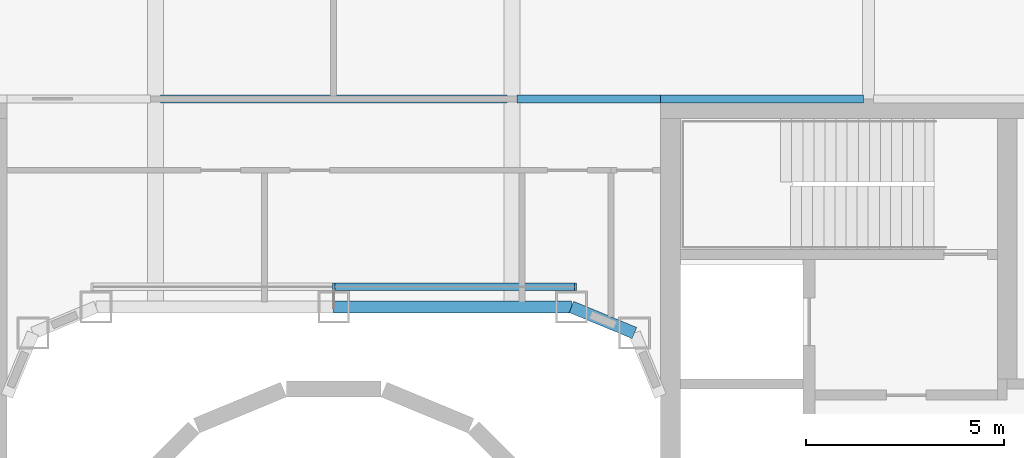
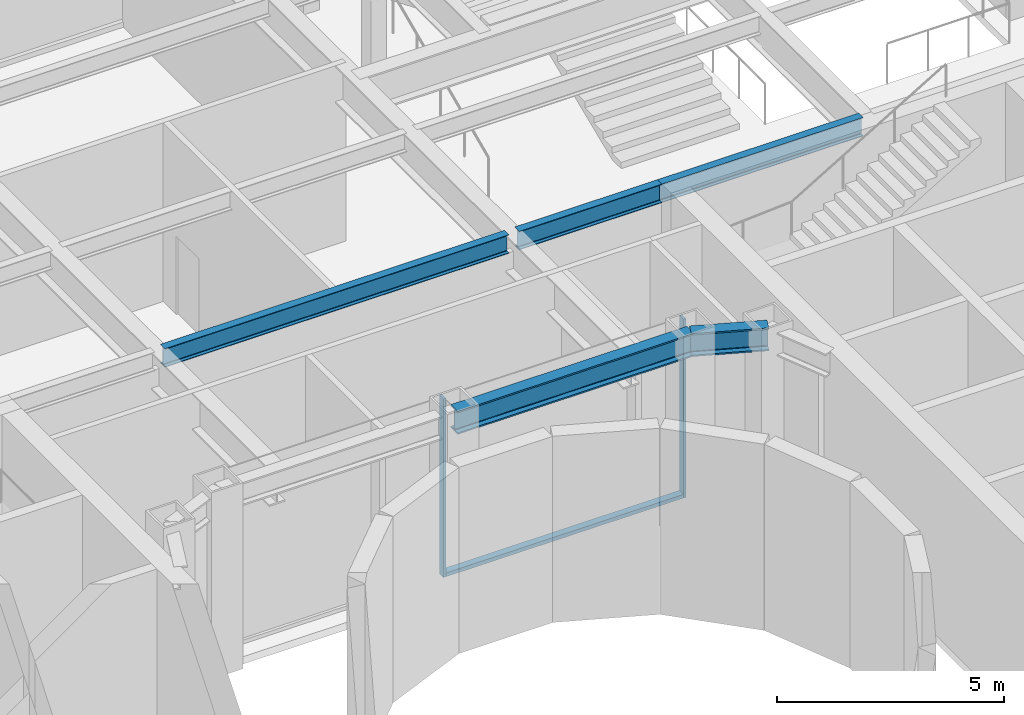
# One storey, part 8 of 25: 5 beams, 3 members, 1 element without a shape of its own.
"""IFC4 building model written with IfcOpenShell, lengths in metres."""

from ifc_helpers import new_model, si_unit, direction, frame, origin, origin_2d, place, context, subcontext, project, spatial, rectangle, i_section, extrude, material, layer, layer_set, material_profile, profile_set, type_object, element, aggregate, save


model = new_model("IFC4")

# Units and contexts
model_context = context("Model", 3, precision=1e-05, world=origin(), true_north=direction((0.0, 1.0)))
body_context = subcontext(model_context, "Body", "Model", "MODEL_VIEW")
ifc_project = project(units=[si_unit("LENGTHUNIT", "METRE"), si_unit("AREAUNIT", "SQUARE_METRE"), si_unit("VOLUMEUNIT", "CUBIC_METRE"), si_unit("PLANEANGLEUNIT", "RADIAN"), si_unit("MASSUNIT", "GRAM", prefix="KILO")], contexts=[model_context])

# Site, building, storey
site_placement = place(None, origin())
site = spatial("IfcSite", under=ifc_project, at=site_placement, CompositionType="ELEMENT")
building_placement = place(site_placement, origin())
building = spatial("IfcBuilding", under=site, at=building_placement, Name="Siwar Civic Tower", CompositionType="ELEMENT")
storey_placement = place(building_placement, frame((0.0, 0.0, 7.199951171875)))
storey = spatial("IfcBuildingStorey", under=building, at=storey_placement, Name="L01", CompositionType="ELEMENT", Elevation=7.199951171875)

# Curtain wall, members
ifc_material_1 = material(Name="Aluminium and glass", Category="aluminium")
ifc_layer = layer(ifc_material_1, 0.179931640625)
ifc_layer_set = layer_set([ifc_layer], Name="Aluminium and glass")
curtain_wall_type = type_object("IfcCurtainWallType", Name="ENV-CW-W", PredefinedType="NOTDEFINED", material=ifc_layer_set)
curtain_wall_placement = place(storey_placement, origin())
curtain_wall = element("IfcCurtainWall", 1, at=curtain_wall_placement, inside=storey, type_object=curtain_wall_type, Name="Curtain wall W WN", PredefinedType="NOTDEFINED")
ifc_material_2 = material(Name="Aluminium 6063-T6", Category="aluminium")
ifc_material_profile_1 = material_profile(ifc_material_2, rectangle(XDim=0.179931640625, YDim=0.06005859375, at=origin_2d()), Name="AL 180x60")
ifc_profile_set_1 = profile_set([ifc_material_profile_1], Name="Aluminium 6063-T6")
member_type_1 = type_object("IfcMemberType", Name="ENV-MULLION-W", PredefinedType="MULLION", material=ifc_profile_set_1)
member_1_placement = place(storey_placement, frame((6.1015625, 8.760009765625, 0.0), z_axis=(0.0, 0.0, 1.0), x_axis=(0.0, -1.0, 0.0)))
member_1 = element("IfcMember", 2, at=member_1_placement, type_object=member_type_1, Name="Mullion W WN 1", PredefinedType="MULLION", context=body_context, shape_type="SweptSolid", body=[
    extrude(rectangle(XDim=0.179931640625, YDim=0.06005859375, at=origin_2d()), origin(), (0.0, 0.0, 1.0), 4.800048828125),
])
member_2_placement = place(storey_placement, frame((0.0, 8.760009765625, 0.0), z_axis=(0.0, 0.0, 1.0), x_axis=(0.0, -1.0, 0.0)))
member_2 = element("IfcMember", 3, at=member_2_placement, type_object=member_type_1, Name="Mullion W WN 2", PredefinedType="MULLION", context=body_context, shape_type="SweptSolid", body=[
    extrude(rectangle(XDim=0.179931640625, YDim=0.06005859375, at=origin_2d()), origin(), (0.0, 0.0, 1.0), 4.800048828125),
])
ifc_material_3 = material(Name="Aluminium 6063-T6", Category="aluminium")
ifc_material_profile_2 = material_profile(ifc_material_3, rectangle(XDim=0.179931640625, YDim=0.10009765625, at=origin_2d()), Name="AL 180x100")
ifc_profile_set_2 = profile_set([ifc_material_profile_2], Name="Aluminium 6063-T6")
member_type_2 = type_object("IfcMemberType", Name="ENV-TRANSOM-W", PredefinedType="USERDEFINED", material=ifc_profile_set_2)
member_3_placement = place(storey_placement, frame((6.071533203125, 8.760009765625, 0.050048828125), z_axis=(-1.0, 0.0, 0.0), x_axis=(0.0, -1.0, 0.0)))
member_3 = element("IfcMember", 4, at=member_3_placement, type_object=member_type_2, Name="Transom W WN 1", ObjectType="TRANSOM", PredefinedType="USERDEFINED", context=body_context, shape_type="SweptSolid", body=[
    extrude(rectangle(XDim=0.179931640625, YDim=0.10009765625, at=origin_2d()), origin(), (0.0, 0.0, 1.0), 6.04150390625),
])
aggregate(curtain_wall, [member_1, member_2, member_3])

# Beams
ifc_material_4 = material(Name="Steel S355", Category="steel")
ifc_material_profile_3 = material_profile(ifc_material_4, i_section(OverallWidth=0.199951171875, OverallDepth=0.5, WebThickness=0.01025390625, FlangeThickness=0.01611328125, FilletRadius=0.02099609375, at=origin_2d()), Name="IPE500")
ifc_profile_set_3 = profile_set([ifc_material_profile_3], Name="Steel S355")
beam_type_1 = type_object("IfcBeamType", Name="STR-FB-IPE500", PredefinedType="JOIST", material=ifc_profile_set_3)
beam_1_placement = place(storey_placement, frame((-4.3701171875, 13.5, 4.550048828125), z_axis=(1.0, 0.0, 0.0), x_axis=(0.0, 1.0, 0.0)))
element("IfcBeam", 5, at=beam_1_placement, inside=storey, type_object=beam_type_1, Name="L01/bm/F039", PredefinedType="JOIST", context=body_context, shape_type="SweptSolid", body=[
    extrude(i_section(OverallWidth=0.199951171875, OverallDepth=0.5, WebThickness=0.01025390625, FlangeThickness=0.01611328125, FilletRadius=0.02099609375, at=origin_2d()), origin(), (0.0, 0.0, 1.0), 8.740234375),
])
beam_2_placement = place(storey_placement, frame((4.6298828125, 13.5, 4.550048828125), z_axis=(1.0, 0.0, 0.0), x_axis=(0.0, 1.0, 0.0)))
element("IfcBeam", 6, at=beam_2_placement, inside=storey, type_object=beam_type_1, Name="L01/bm/F040", PredefinedType="JOIST", context=body_context, shape_type="SweptSolid", body=[
    extrude(i_section(OverallWidth=0.199951171875, OverallDepth=0.5, WebThickness=0.01025390625, FlangeThickness=0.01611328125, FilletRadius=0.02099609375, at=origin_2d()), origin(), (0.0, 0.0, 1.0), 3.6201171875),
])
beam_3_placement = place(storey_placement, frame((8.25, 13.5, 4.550048828125), z_axis=(1.0, 0.0, 0.0), x_axis=(0.0, 1.0, 0.0)))
element("IfcBeam", 7, at=beam_3_placement, inside=storey, type_object=beam_type_1, Name="L01/bm/F041", PredefinedType="JOIST", context=body_context, shape_type="SweptSolid", body=[
    extrude(i_section(OverallWidth=0.199951171875, OverallDepth=0.5, WebThickness=0.01025390625, FlangeThickness=0.01611328125, FilletRadius=0.02099609375, at=origin_2d()), origin(), (0.0, 0.0, 1.0), 5.1201171875),
])
ifc_material_5 = material(Name="Steel S355", Category="steel")
ifc_material_profile_4 = material_profile(ifc_material_5, i_section(OverallWidth=0.304931640625, OverallDepth=0.6201171875, WebThickness=0.02099609375, FlangeThickness=0.0400390625, FilletRadius=0.027099609375, at=origin_2d()), Name="HEM600")
ifc_profile_set_4 = profile_set([ifc_material_profile_4], Name="Steel S355")
beam_type_2 = type_object("IfcBeamType", Name="STR-RB-HEM600", PredefinedType="BEAM", material=ifc_profile_set_4)
beam_4_placement = place(storey_placement, frame((0.0, 8.25, 4.489990234375), z_axis=(1.0, 0.0, 0.0), x_axis=(0.0, 1.0, 0.0)))
element("IfcBeam", 8, at=beam_4_placement, inside=storey, type_object=beam_type_2, Name="L01/bm/RN2", PredefinedType="BEAM", context=body_context, shape_type="SweptSolid", body=[
    extrude(i_section(OverallWidth=0.304931640625, OverallDepth=0.6201171875, WebThickness=0.02099609375, FlangeThickness=0.0400390625, FilletRadius=0.027099609375, at=origin_2d()), origin(), (0.0, 0.0, 1.0), 6.0),
])
beam_5_placement = place(storey_placement, frame((6.0, 8.25, 4.489990234375), z_axis=(0.923901072997, -0.382631424892, 0.0), x_axis=(0.382631424892, 0.923901072997, 0.0)))
element("IfcBeam", 9, at=beam_5_placement, inside=storey, type_object=beam_type_2, Name="L01/bm/RN3", PredefinedType="BEAM", context=body_context, shape_type="SweptSolid", body=[
    extrude(i_section(OverallWidth=0.304931640625, OverallDepth=0.6201171875, WebThickness=0.02099609375, FlangeThickness=0.0400390625, FilletRadius=0.027099609375, at=origin_2d()), origin(), (0.0, 0.0, 1.0), 1.72216796875),
])

save(model, "model.ifc")
